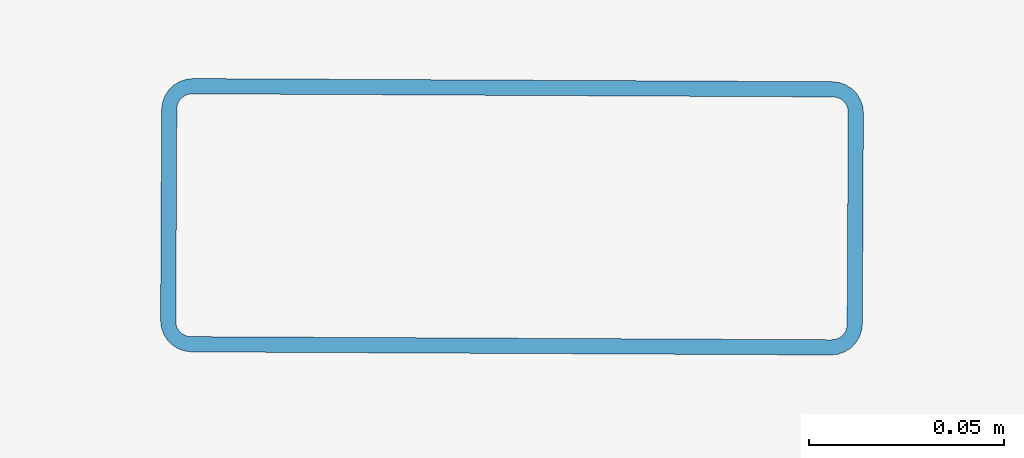
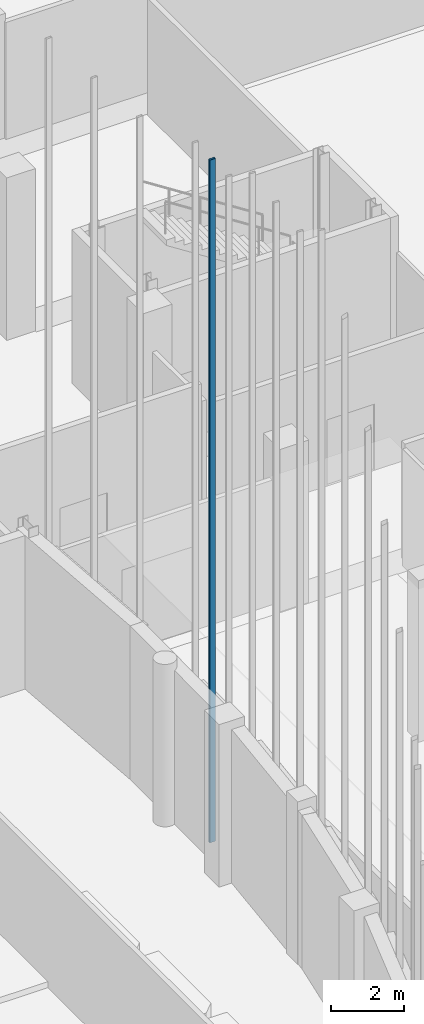
# One storey, part 123 of 372: 1 member.
"""IFC4 building model written with IfcOpenShell, lengths in metres."""

import ifcopenshell
import ifcopenshell.guid

model = None  # the IFC model being written
_history = None  # IfcOwnerHistory: only IFC2X3 demands one
_inside = {}  # id of a spatial element -> (the spatial element, [elements in it])
_under = {}  # id of a project, library or spatial element -> (it, [spatial elements below it])
_declared = {}  # id of a project -> (the project, [libraries it declares])
_typed = {}  # id of a type object -> (the type object, [elements of that type])
_made_of = {}  # id of a material, layer set ... -> (it, [elements and type objects made of it])


def new_model(schema):
    """Start an empty IFC model of exactly this schema.

    Asked for "IFC4X3", IfcOpenShell would pick the latest addendum, in which some entities
    have other attributes; the version numbers below select the first issue.
    IFC2X3 requires an IfcOwnerHistory on every rooted entity: one is made here for all.
    """
    global model, _history
    if schema == "IFC4X3":
        model = ifcopenshell.file(schema_version=(4, 3, 0, 0))
    else:
        model = ifcopenshell.file(schema=schema)
    _inside.clear()
    _under.clear()
    _declared.clear()
    _typed.clear()
    _made_of.clear()
    _history = None
    if model.schema == "IFC2X3":
        org = make("IfcOrganization", Name="unknown")
        user = make(
            "IfcPersonAndOrganization",
            ThePerson=make("IfcPerson", FamilyName="unknown"),
            TheOrganization=org,
        )
        app = make(
            "IfcApplication",
            ApplicationDeveloper=org,
            Version="unknown",
            ApplicationFullName="unknown",
            ApplicationIdentifier="unknown",
        )
        _history = make(
            "IfcOwnerHistory",
            OwningUser=user,
            OwningApplication=app,
            ChangeAction="ADDED",
            CreationDate=0,
        )
    return model


def make(cls, **values):
    """One entity of the class cls with the attributes given. An attribute that is None is left unset."""
    return model.create_entity(
        cls, **{name: value for name, value in values.items() if value is not None}
    )


def rooted(cls, **values):
    """An entity with a GlobalId (a new one), such as an element, a storey or a relation."""
    return make(cls, GlobalId=ifcopenshell.guid.new(), OwnerHistory=_history, **values)


def si_unit(unit_type, name, prefix=None):
    """IfcSIUnit, for example si_unit("LENGTHUNIT", "METRE", prefix="MILLI")."""
    return make("IfcSIUnit", UnitType=unit_type, Prefix=prefix, Name=name)


def assignment(units):
    """IfcUnitAssignment: the units of a project."""
    return None if units is None else make("IfcUnitAssignment", Units=units)


def point(xyz):
    """IfcCartesianPoint."""
    return None if xyz is None else make("IfcCartesianPoint", Coordinates=xyz)


def direction(xyz):
    """IfcDirection."""
    return None if xyz is None else make("IfcDirection", DirectionRatios=xyz)


def frame(location, z_axis=None, x_axis=None):
    """IfcAxis2Placement3D, a coordinate frame: its origin and axes. An axis left out is left unset."""
    return make(
        "IfcAxis2Placement3D",
        Location=point(location),
        Axis=direction(z_axis),
        RefDirection=direction(x_axis),
    )


def frame_2d(location, x_axis=None):
    """IfcAxis2Placement2D, a coordinate frame in the plane: its origin and x axis."""
    return make(
        "IfcAxis2Placement2D", Location=point(location), RefDirection=direction(x_axis)
    )


def origin():
    """The frame at (0, 0, 0) with its axes left unset."""
    return frame((0.0, 0.0, 0.0))


def origin_2d():
    """The frame at (0, 0) in the plane with its x axis left unset."""
    return frame_2d((0.0, 0.0))


def place(relative_to, where):
    """IfcLocalPlacement: puts the frame where relative to a parent placement (None: the world)."""
    return make(
        "IfcLocalPlacement", PlacementRelTo=relative_to, RelativePlacement=where
    )


def context(
    kind, dimensions, precision=None, world=None, true_north=None, identifier=None
):
    """IfcGeometricRepresentationContext, for example the 3D "Model" context."""
    return make(
        "IfcGeometricRepresentationContext",
        ContextIdentifier=identifier,
        ContextType=kind,
        CoordinateSpaceDimension=dimensions,
        Precision=precision,
        WorldCoordinateSystem=world,
        TrueNorth=true_north,
    )


def subcontext(parent, identifier, kind, view, scale=None):
    """IfcGeometricRepresentationSubContext, for example "Body" below "Model"."""
    return make(
        "IfcGeometricRepresentationSubContext",
        ContextIdentifier=identifier,
        ContextType=kind,
        ParentContext=parent,
        TargetScale=scale,
        TargetView=view,
    )


def project(units=None, contexts=None):
    """IfcProject with its units and contexts."""
    return rooted(
        "IfcProject",
        Name="project",
        RepresentationContexts=contexts,
        UnitsInContext=assignment(units),
    )


def spatial(cls, under=None, at=None, **own):
    """A site, building, storey or space (cls), placed at a placement, below another one or the project."""
    s = rooted(cls, ObjectPlacement=at, **own)
    if under is not None:
        _under.setdefault(under.id(), (under, []))[1].append(s)
    return s


def profile(cls, at=None, kind="AREA", **sizes):
    """A parametric profile (cls). Its sizes go by their IFC names, for example OverallWidth=200.0."""
    return make(cls, ProfileType=kind, Position=at, **sizes)


def hollow_rectangle(**sizes):
    """IfcRectangleHollowProfileDef."""
    return profile("IfcRectangleHollowProfileDef", **sizes)


def extrude(swept, where, along, depth):
    """IfcExtrudedAreaSolid: the profile swept, set in the frame where, extruded along a direction by depth."""
    return make(
        "IfcExtrudedAreaSolid",
        SweptArea=swept,
        Position=where,
        ExtrudedDirection=direction(along),
        Depth=depth,
    )


def shape(context_of_items, identifier, shape_type, items):
    """IfcShapeRepresentation: the items that make up one representation, for example the "Body"."""
    return make(
        "IfcShapeRepresentation",
        ContextOfItems=context_of_items,
        RepresentationIdentifier=identifier,
        RepresentationType=shape_type,
        Items=items,
    )


def material(Name=None, Category=None):
    """IfcMaterial."""
    return make("IfcMaterial", Name=Name, Category=Category)


def material_profile(
    of_material, cross_section, Name=None, Category=None, Priority=None
):
    """IfcMaterialProfile: a cross section and its material."""
    return make(
        "IfcMaterialProfile",
        Name=Name,
        Material=of_material,
        Profile=cross_section,
        Priority=Priority,
        Category=Category,
    )


def profile_set(profiles, Name=None, composite=None):
    """IfcMaterialProfileSet."""
    return make(
        "IfcMaterialProfileSet",
        Name=Name,
        MaterialProfiles=profiles,
        CompositeProfile=composite,
    )


def made_of(thing, what):
    """Note that an element or type object is made of a material, layer set ...; save() writes the relation."""
    if what is not None:
        _made_of.setdefault(what.id(), (what, []))[1].append(thing)
    return thing


def type_object(cls, material=None, **own):
    """A type object (cls), such as IfcWallType, which elements share."""
    return made_of(rooted(cls, **own), material)


def element(
    cls,
    number,
    at=None,
    inside=None,
    cuts=None,
    type_object=None,
    material=None,
    context=None,
    identifier="Body",
    shape_type=None,
    held_by="IfcProductDefinitionShape",
    body=None,
    shapes=None,
    **own,
):
    """One element of the class cls, such as IfcWall. Its Tag is "e" and its number.

    at: its placement. inside: the storey or other place that contains it. cuts: it is an
    opening in that element (IfcRelVoidsElement). A single representation is given by context,
    identifier, shape_type and body (its items); several are given by shapes. held_by: the class
    of the entity that holds the representations. save() writes the other relations.
    """
    e = rooted(cls, Tag="e%d" % number, ObjectPlacement=at, **own)
    if body is not None:
        shapes = [shape(context, identifier, shape_type, body)]
    if shapes is not None:
        e.Representation = make(held_by, Representations=shapes)
    if inside is not None:
        _inside.setdefault(inside.id(), (inside, []))[1].append(e)
    if cuts is not None:
        rooted(
            "IfcRelVoidsElement", RelatingBuildingElement=cuts, RelatedOpeningElement=e
        )
    if type_object is not None:
        _typed.setdefault(type_object.id(), (type_object, []))[1].append(e)
    return made_of(e, material)


def aggregate(whole, parts):
    """IfcRelAggregates: a whole, such as a stair, and the parts it consists of."""
    return rooted("IfcRelAggregates", RelatingObject=whole, RelatedObjects=parts)


def save(model, path):
    """Write the relations noted so far, then the file.

    IfcRelAggregates (storeys below a building ...), IfcRelContainedInSpatialStructure (elements
    in a storey), IfcRelDefinesByType, IfcRelAssociatesMaterial and IfcRelDeclares: one each for
    every whole, place, type object, material and project.
    """
    for whole, parts in _under.values():
        aggregate(whole, parts)
    for where, things in _inside.values():
        rooted(
            "IfcRelContainedInSpatialStructure",
            RelatedElements=things,
            RelatingStructure=where,
        )
    for kind, things in _typed.values():
        rooted("IfcRelDefinesByType", RelatedObjects=things, RelatingType=kind)
    for what, things in _made_of.values():
        rooted("IfcRelAssociatesMaterial", RelatedObjects=things, RelatingMaterial=what)
    for by, libraries in _declared.values():
        rooted("IfcRelDeclares", RelatingContext=by, RelatedDefinitions=libraries)
    model.write(path)


model = new_model("IFC4")

# Units and contexts
model_context = context("Model", 3, precision=1e-05, world=origin(), true_north=direction((0.0, 1.0)))
body_context = subcontext(model_context, "Body", "Model", "MODEL_VIEW")
ifc_project = project(units=[si_unit("LENGTHUNIT", "METRE"), si_unit("AREAUNIT", "SQUARE_METRE"), si_unit("VOLUMEUNIT", "CUBIC_METRE"), si_unit("PLANEANGLEUNIT", "RADIAN"), si_unit("MASSUNIT", "GRAM", prefix="KILO")], contexts=[model_context])

# Site, building, storey
site_placement = place(None, origin())
site = spatial("IfcSite", under=ifc_project, at=site_placement, CompositionType="ELEMENT")
building_placement = place(site_placement, origin())
building = spatial("IfcBuilding", under=site, at=building_placement, Name="Kaelora Sail Theatre", CompositionType="ELEMENT")
storey_placement = place(building_placement, origin())
storey = spatial("IfcBuildingStorey", under=building, at=storey_placement, Name="L00", CompositionType="ELEMENT", Elevation=0.0)

# Member
ifc_material = material(Name="Anodised aluminium 6063-T6", Category="aluminium")
ifc_material_profile = material_profile(ifc_material, hollow_rectangle(XDim=0.070068359375, YDim=0.179931640625, WallThickness=0.00390625, InnerFilletRadius=0.00390625, OuterFilletRadius=0.008056640625, at=origin_2d()), Name="ALU-MULL 70x180x4")
ifc_profile_set = profile_set([ifc_material_profile], Name="Anodised aluminium 6063-T6")
member_type = type_object("IfcMemberType", Name="ARC-MEM-PST-160", PredefinedType="POST", material=ifc_profile_set)
member_placement = place(storey_placement, frame((58.80419921875, 52.066162109375, 0.0), z_axis=(0.0, 0.0, 1.0), x_axis=(-0.004886902454, -0.999988059021, 0.0)))
element("IfcMember", 1, at=member_placement, inside=storey, type_object=member_type, Name="Main Theatre Sail Drum solar louvre vertical support post C2-2", PredefinedType="POST", context=body_context, shape_type="SweptSolid", body=[
    extrude(hollow_rectangle(XDim=0.070068359375, YDim=0.179931640625, WallThickness=0.00390625, InnerFilletRadius=0.00390625, OuterFilletRadius=0.008056640625, at=origin_2d()), origin(), (0.0, 0.0, 1.0), 22.691162109375),
])

save(model, "model.ifc")
